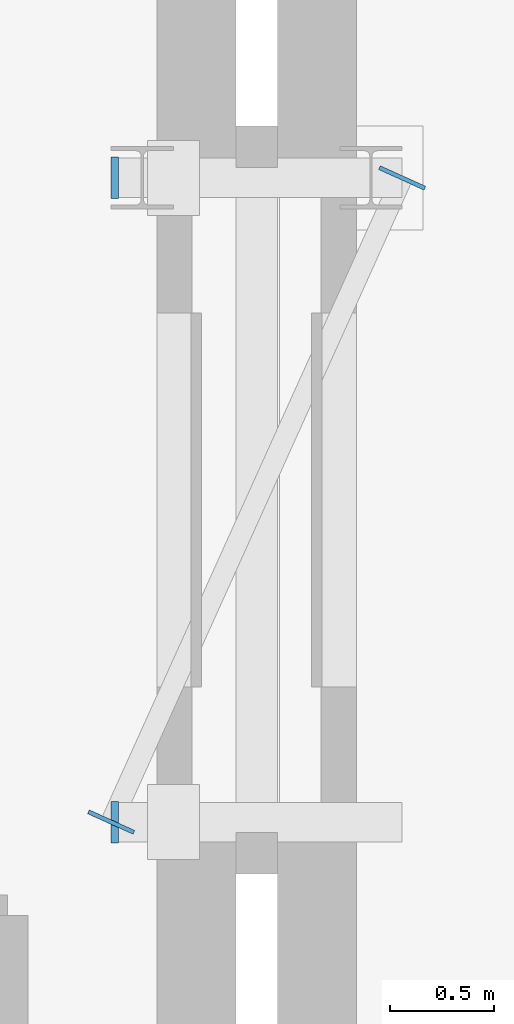
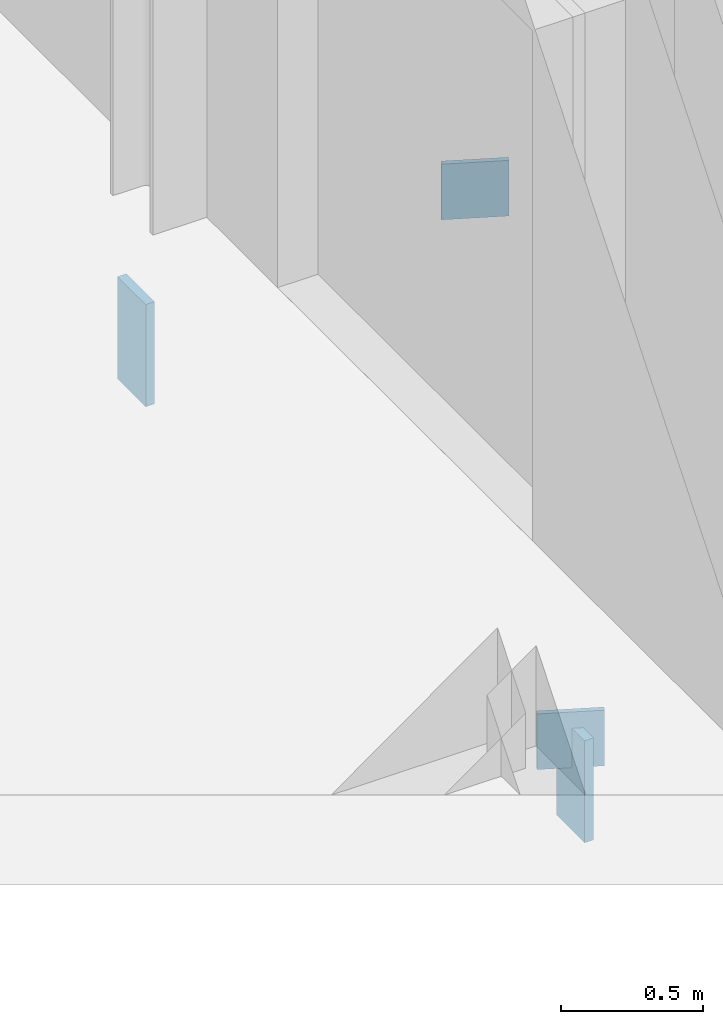
# One storey, part 35 of 73: 4 plates.
"""IFC4 building model written with IfcOpenShell, lengths in metres."""

from ifc_helpers import new_model, si_unit, direction, frame, origin, origin_2d, place, context, subcontext, project, spatial, rectangle, extrude, material, layer, layer_set, type_object, element, save


model = new_model("IFC4")

# Units and contexts
model_context = context("Model", 3, precision=1e-05, world=origin(), true_north=direction((0.0, 1.0)))
body_context = subcontext(model_context, "Body", "Model", "MODEL_VIEW")
ifc_project = project(units=[si_unit("LENGTHUNIT", "METRE"), si_unit("AREAUNIT", "SQUARE_METRE"), si_unit("VOLUMEUNIT", "CUBIC_METRE"), si_unit("PLANEANGLEUNIT", "RADIAN"), si_unit("MASSUNIT", "GRAM", prefix="KILO")], contexts=[model_context])

# Site, building, storey
site_placement = place(None, origin())
site = spatial("IfcSite", under=ifc_project, at=site_placement, CompositionType="ELEMENT")
building_placement = place(site_placement, origin())
building = spatial("IfcBuilding", under=site, at=building_placement, Name="Mzevani Central Library", CompositionType="ELEMENT")
storey_placement = place(building_placement, frame((0.0, 0.0, 9.60009765625)))
storey = spatial("IfcBuildingStorey", under=building, at=storey_placement, Name="L02", CompositionType="ELEMENT", Elevation=9.60009765625)

# Plates
ifc_material = material(Name="Steel S355J2", Category="steel")
ifc_layer_1 = layer(ifc_material, 0.02001953125, Name="Gridshell Hub Gusset Plate 20")
ifc_layer_set_1 = layer_set([ifc_layer_1], Name="Steel S355J2")
plate_type_1 = type_object("IfcPlateType", Name="Gridshell Hub Gusset Plate 20", PredefinedType="SHEET", material=ifc_layer_set_1)
for number, where, z_axis, x_axis, name in (
    (1, (45.300048828125, 55.64990234375, -0.5), (0.0, 0.0, 1.0), (0.411585938782, 0.911370953562, 0.0), "L02 West Reading Seismic Passage L02 Diaphragm Chord End Cap 1"),
    (2, (46.699951171875, 58.75, -0.5), (0.0, 0.0, 1.0), (0.411585938782, 0.911370953562, 0.0), "L02 West Reading Seismic Passage L02 Diaphragm Chord End Cap 2"),
):
    element("IfcPlate", number, at=place(storey_placement, frame(where, z_axis=z_axis, x_axis=x_axis)), inside=storey, type_object=plate_type_1, Name=name, PredefinedType="SHEET", context=body_context, shape_type="SweptSolid", body=[
        extrude(rectangle(XDim=0.02001953125, YDim=0.239990234375, at=origin_2d()), origin(), (0.0, 0.0, 1.0), 0.239990234375),
    ])
ifc_layer_2 = layer(ifc_material, 0.035888671875, Name="Truss Splice Flange Plate 36")
ifc_layer_set_2 = layer_set([ifc_layer_2], Name="Steel S355J2")
plate_type_2 = type_object("IfcPlateType", Name="Truss Splice Flange Plate 36", PredefinedType="USERDEFINED", material=ifc_layer_set_2)
for number, where, z_axis, x_axis, name in (
    (3, (45.318115234375, 55.64990234375, -0.77001953125), (0.0, 0.0, 1.0), (1.0, 0.0, 0.0), "West Reading Seismic Passage L02 Girder End Cap Plate 1"),
    (4, (45.318115234375, 58.75, -0.77001953125), (0.0, 0.0, 1.0), (1.0, 0.0, 0.0), "West Reading Seismic Passage L02 Girder End Cap Plate 2"),
):
    element("IfcPlate", number, at=place(storey_placement, frame(where, z_axis=z_axis, x_axis=x_axis)), inside=storey, type_object=plate_type_2, Name=name, ObjectType="SPLICE PLATE", PredefinedType="USERDEFINED", context=body_context, shape_type="SweptSolid", body=[
        extrude(rectangle(XDim=0.035888671875, YDim=0.199951171875, at=origin_2d()), origin(), (0.0, 0.0, 1.0), 0.43994140625),
    ])

save(model, "model.ifc")
